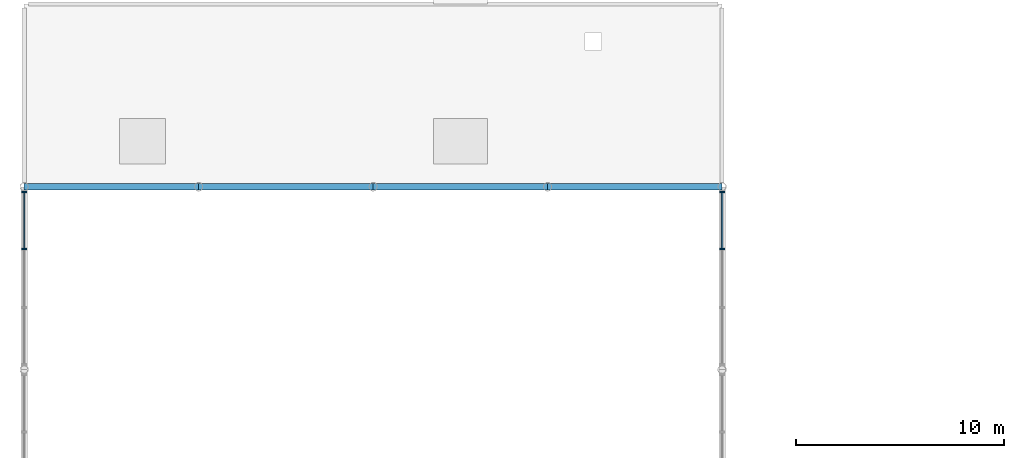
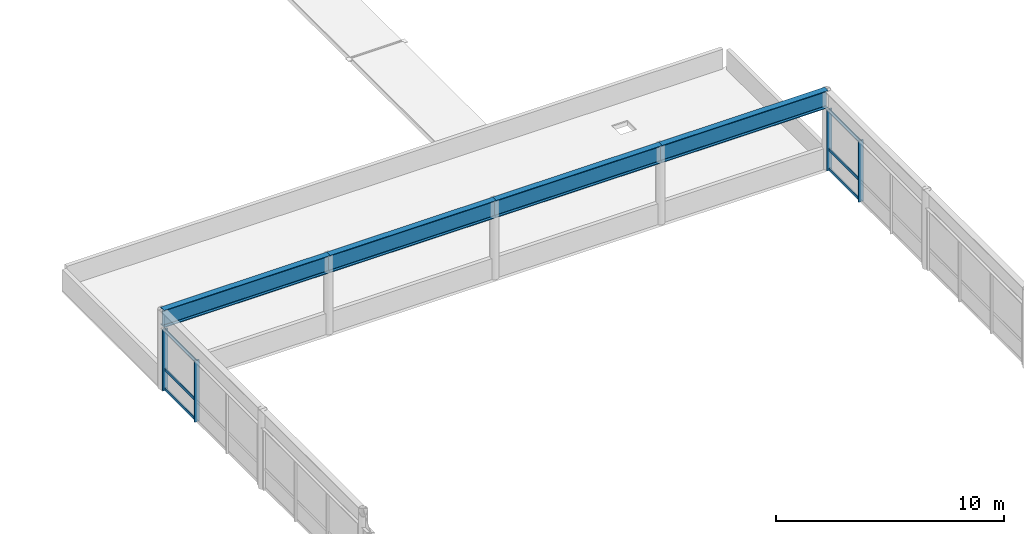
# One storey, part 9 of 46: 10 members, 4 beams, 2 elements without a shape of their own.
"""IFC4 building model written with IfcOpenShell, lengths in metres."""

from ifc_helpers import new_model, si_unit, direction, frame, origin, origin_2d, place, context, subcontext, project, spatial, rectangle, i_section, extrude, material, material_profile, profile_set, type_object, element, aggregate, save


model = new_model("IFC4")

# Units and contexts
model_context = context("Model", 3, precision=1e-05, world=origin(), true_north=direction((0.0, 1.0)))
body_context = subcontext(model_context, "Body", "Model", "MODEL_VIEW")
ifc_project = project(units=[si_unit("LENGTHUNIT", "METRE"), si_unit("AREAUNIT", "SQUARE_METRE"), si_unit("VOLUMEUNIT", "CUBIC_METRE"), si_unit("PLANEANGLEUNIT", "RADIAN"), si_unit("MASSUNIT", "GRAM", prefix="KILO")], contexts=[model_context])

# Site, building, storey
site_placement = place(None, origin())
site = spatial("IfcSite", under=ifc_project, at=site_placement, CompositionType="ELEMENT")
building_placement = place(site_placement, origin())
building = spatial("IfcBuilding", under=site, at=building_placement, Name="Kemercrest Conservatory and Botanical Centre", CompositionType="ELEMENT")
storey_placement = place(building_placement, frame((0.0, 0.0, 9.0)))
storey = spatial("IfcBuildingStorey", under=building, at=storey_placement, Name="L02", CompositionType="ELEMENT", Elevation=9.0)

# Curtain wall, members
ifc_material_1 = material(Name="Thermally broken aluminium and triple low-e glazing", Category="aluminium")
curtain_wall_type_1 = type_object("IfcCurtainWallType", Name="CW-25", PredefinedType="USERDEFINED", material=ifc_material_1)
curtain_wall_1_placement = place(storey_placement, origin())
curtain_wall_1 = element("IfcCurtainWall", 1, at=curtain_wall_1_placement, inside=storey, type_object=curtain_wall_type_1, Name="Unitised curtain wall CW-25 (CW:L02:V1-024)", ObjectType="UNITISED CURTAIN WALL", PredefinedType="USERDEFINED")
ifc_material_2 = material(Name="Thermally broken anodized aluminium 6063-T6", Category="aluminium")
ifc_material_profile_1 = material_profile(ifc_material_2, rectangle(XDim=0.239990234375, YDim=0.074951171875, at=origin_2d()), Name="AL MULLION 75x240")
ifc_profile_set_1 = profile_set([ifc_material_profile_1], Name="Thermally broken anodized aluminium 6063-T6")
member_type_1 = type_object("IfcMemberType", Name="CW-M225", PredefinedType="MULLION", material=ifc_profile_set_1)
member_1_placement = place(storey_placement, frame((41.60009765625, 49.0, 0.0), z_axis=(0.0, 0.0, 1.0), x_axis=(-1.0, 0.0, 0.0)))
member_1 = element("IfcMember", 2, at=member_1_placement, type_object=member_type_1, Name="CW-25 mullion 3", PredefinedType="MULLION", context=body_context, shape_type="SweptSolid", body=[
    extrude(rectangle(XDim=0.239990234375, YDim=0.074951171875, at=origin_2d()), origin(), (0.0, 0.0, 1.0), 3.278076171875),
])
member_2_placement = place(storey_placement, frame((41.60009765625, 51.762451171875, 0.0), z_axis=(0.0, 0.0, 1.0), x_axis=(-1.0, 0.0, 0.0)))
member_2 = element("IfcMember", 3, at=member_2_placement, type_object=member_type_1, Name="CW-25 mullion 4", PredefinedType="MULLION", context=body_context, shape_type="SweptSolid", body=[
    extrude(rectangle(XDim=0.239990234375, YDim=0.074951171875, at=origin_2d()), origin(), (0.0, 0.0, 1.0), 3.278076171875),
])

curtain_wall_type_2 = type_object("IfcCurtainWallType", Name="CW-26", PredefinedType="USERDEFINED", material=ifc_material_1)
curtain_wall_2_placement = place(storey_placement, origin())
curtain_wall_2 = element("IfcCurtainWall", 4, at=curtain_wall_2_placement, inside=storey, type_object=curtain_wall_type_2, Name="Unitised curtain wall CW-26 (CW:L02:V1-025)", ObjectType="UNITISED CURTAIN WALL", PredefinedType="USERDEFINED")
member_3_placement = place(storey_placement, frame((8.0, 51.762451171875, 0.0), z_axis=(0.0, 0.0, 1.0), x_axis=(1.0, 0.0, 0.0)))
member_3 = element("IfcMember", 5, at=member_3_placement, type_object=member_type_1, Name="CW-26 mullion 1", PredefinedType="MULLION", context=body_context, shape_type="SweptSolid", body=[
    extrude(rectangle(XDim=0.239990234375, YDim=0.074951171875, at=origin_2d()), origin(), (0.0, 0.0, 1.0), 3.278076171875),
])
member_4_placement = place(storey_placement, frame((8.0, 49.0, 0.0), z_axis=(0.0, 0.0, 1.0), x_axis=(1.0, 0.0, 0.0)))
member_4 = element("IfcMember", 6, at=member_4_placement, type_object=member_type_1, Name="CW-26 mullion 2", PredefinedType="MULLION", context=body_context, shape_type="SweptSolid", body=[
    extrude(rectangle(XDim=0.239990234375, YDim=0.074951171875, at=origin_2d()), origin(), (0.0, 0.0, 1.0), 3.278076171875),
])

# Member
ifc_material_profile_2 = material_profile(ifc_material_2, rectangle(XDim=0.06494140625, YDim=0.14990234375, at=origin_2d()), Name="AL TRANSOM 65x150")
ifc_profile_set_2 = profile_set([ifc_material_profile_2], Name="Thermally broken anodized aluminium 6063-T6")
member_type_2 = type_object("IfcMemberType", Name="CW-T200", PredefinedType="USERDEFINED", material=ifc_profile_set_2)
member_5_placement = place(storey_placement, frame((41.60009765625, 49.03759765625, 0.074951171875), z_axis=(0.0, 1.0, 0.0), x_axis=(-1.0, 0.0, 0.0)))
member_5 = element("IfcMember", 7, at=member_5_placement, type_object=member_type_2, Name="CW-25 transom 3.1", ObjectType="TRANSOM", PredefinedType="USERDEFINED", context=body_context, shape_type="SweptSolid", body=[
    extrude(rectangle(XDim=0.06494140625, YDim=0.14990234375, at=origin_2d()), origin(), (0.0, 0.0, 1.0), 2.6875),
])

member_6_placement = place(storey_placement, frame((41.60009765625, 49.03759765625, 1.1201171875), z_axis=(0.0, 1.0, 0.0), x_axis=(-1.0, 0.0, 0.0)))
member_6 = element("IfcMember", 8, at=member_6_placement, type_object=member_type_2, Name="CW-25 transom 3.2", ObjectType="TRANSOM", PredefinedType="USERDEFINED", context=body_context, shape_type="SweptSolid", body=[
    extrude(rectangle(XDim=0.06494140625, YDim=0.14990234375, at=origin_2d()), origin(), (0.0, 0.0, 1.0), 2.6875),
])

member_7_placement = place(storey_placement, frame((41.60009765625, 49.03759765625, 3.202880859375), z_axis=(0.0, 1.0, 0.0), x_axis=(-1.0, 0.0, 0.0)))
member_7 = element("IfcMember", 9, at=member_7_placement, type_object=member_type_2, Name="CW-25 transom 3.3", ObjectType="TRANSOM", PredefinedType="USERDEFINED", context=body_context, shape_type="SweptSolid", body=[
    extrude(rectangle(XDim=0.06494140625, YDim=0.14990234375, at=origin_2d()), origin(), (0.0, 0.0, 1.0), 2.6875),
])

aggregate(curtain_wall_1, [member_1, member_2, member_5, member_6, member_7])

member_8_placement = place(storey_placement, frame((8.0, 51.72509765625, 0.074951171875), z_axis=(0.0, -1.0, 0.0), x_axis=(1.0, 0.0, 0.0)))
member_8 = element("IfcMember", 10, at=member_8_placement, type_object=member_type_2, Name="CW-26 transom 1.1", ObjectType="TRANSOM", PredefinedType="USERDEFINED", context=body_context, shape_type="SweptSolid", body=[
    extrude(rectangle(XDim=0.06494140625, YDim=0.14990234375, at=origin_2d()), origin(), (0.0, 0.0, 1.0), 2.6875),
])

member_9_placement = place(storey_placement, frame((8.0, 51.72509765625, 1.1201171875), z_axis=(0.0, -1.0, 0.0), x_axis=(1.0, 0.0, 0.0)))
member_9 = element("IfcMember", 11, at=member_9_placement, type_object=member_type_2, Name="CW-26 transom 1.2", ObjectType="TRANSOM", PredefinedType="USERDEFINED", context=body_context, shape_type="SweptSolid", body=[
    extrude(rectangle(XDim=0.06494140625, YDim=0.14990234375, at=origin_2d()), origin(), (0.0, 0.0, 1.0), 2.6875),
])

member_10_placement = place(storey_placement, frame((8.0, 51.72509765625, 3.202880859375), z_axis=(0.0, -1.0, 0.0), x_axis=(1.0, 0.0, 0.0)))
member_10 = element("IfcMember", 12, at=member_10_placement, type_object=member_type_2, Name="CW-26 transom 1.3", ObjectType="TRANSOM", PredefinedType="USERDEFINED", context=body_context, shape_type="SweptSolid", body=[
    extrude(rectangle(XDim=0.06494140625, YDim=0.14990234375, at=origin_2d()), origin(), (0.0, 0.0, 1.0), 2.6875),
])

aggregate(curtain_wall_2, [member_3, member_4, member_8, member_9, member_10])

# Beams
ifc_material_3 = material(Name="Steel CSA G40.21 350W", Category="steel")
ifc_material_profile_3 = material_profile(ifc_material_3, i_section(OverallWidth=0.30810546875, OverallDepth=0.927001953125, WebThickness=0.019287109375, FlangeThickness=0.031982421875, FilletRadius=0.02587890625, at=origin_2d()), Name="W920X289")
ifc_profile_set_3 = profile_set([ifc_material_profile_3], Name="Steel CSA G40.21 350W")
beam_type = type_object("IfcBeamType", Name="SP-RB01", PredefinedType="SPANDREL", material=ifc_profile_set_3)
beam_1_placement = place(storey_placement, frame((8.0, 52.0, 3.736572265625), z_axis=(1.0, 0.0, 0.0), x_axis=(0.0, 1.0, 0.0)))
element("IfcBeam", 13, at=beam_1_placement, inside=storey, type_object=beam_type, Name="Conservatory Tension-Compression Ring Beam RB-01", PredefinedType="SPANDREL", context=body_context, shape_type="SweptSolid", body=[
    extrude(i_section(OverallWidth=0.30810546875, OverallDepth=0.927001953125, WebThickness=0.019287109375, FlangeThickness=0.031982421875, FilletRadius=0.02587890625, at=origin_2d()), origin(), (0.0, 0.0, 1.0), 8.39990234375),
])
beam_2_placement = place(storey_placement, frame((16.39990234375, 52.0, 3.736572265625), z_axis=(1.0, 0.0, 0.0), x_axis=(0.0, 1.0, 0.0)))
element("IfcBeam", 14, at=beam_2_placement, inside=storey, type_object=beam_type, Name="Conservatory Tension-Compression Ring Beam RB-01", PredefinedType="SPANDREL", context=body_context, shape_type="SweptSolid", body=[
    extrude(i_section(OverallWidth=0.30810546875, OverallDepth=0.927001953125, WebThickness=0.019287109375, FlangeThickness=0.031982421875, FilletRadius=0.02587890625, at=origin_2d()), origin(), (0.0, 0.0, 1.0), 8.400146484375),
])
beam_3_placement = place(storey_placement, frame((24.800048828125, 52.0, 3.736572265625), z_axis=(1.0, 0.0, 0.0), x_axis=(0.0, 1.0, 0.0)))
element("IfcBeam", 15, at=beam_3_placement, inside=storey, type_object=beam_type, Name="Conservatory Tension-Compression Ring Beam RB-01", PredefinedType="SPANDREL", context=body_context, shape_type="SweptSolid", body=[
    extrude(i_section(OverallWidth=0.30810546875, OverallDepth=0.927001953125, WebThickness=0.019287109375, FlangeThickness=0.031982421875, FilletRadius=0.02587890625, at=origin_2d()), origin(), (0.0, 0.0, 1.0), 8.39990234375),
])
beam_4_placement = place(storey_placement, frame((33.199951171875, 52.0, 3.736572265625), z_axis=(1.0, 0.0, 0.0), x_axis=(0.0, 1.0, 0.0)))
element("IfcBeam", 16, at=beam_4_placement, inside=storey, type_object=beam_type, Name="Conservatory Tension-Compression Ring Beam RB-01", PredefinedType="SPANDREL", context=body_context, shape_type="SweptSolid", body=[
    extrude(i_section(OverallWidth=0.30810546875, OverallDepth=0.927001953125, WebThickness=0.019287109375, FlangeThickness=0.031982421875, FilletRadius=0.02587890625, at=origin_2d()), origin(), (0.0, 0.0, 1.0), 8.400146484375),
])

save(model, "model.ifc")
